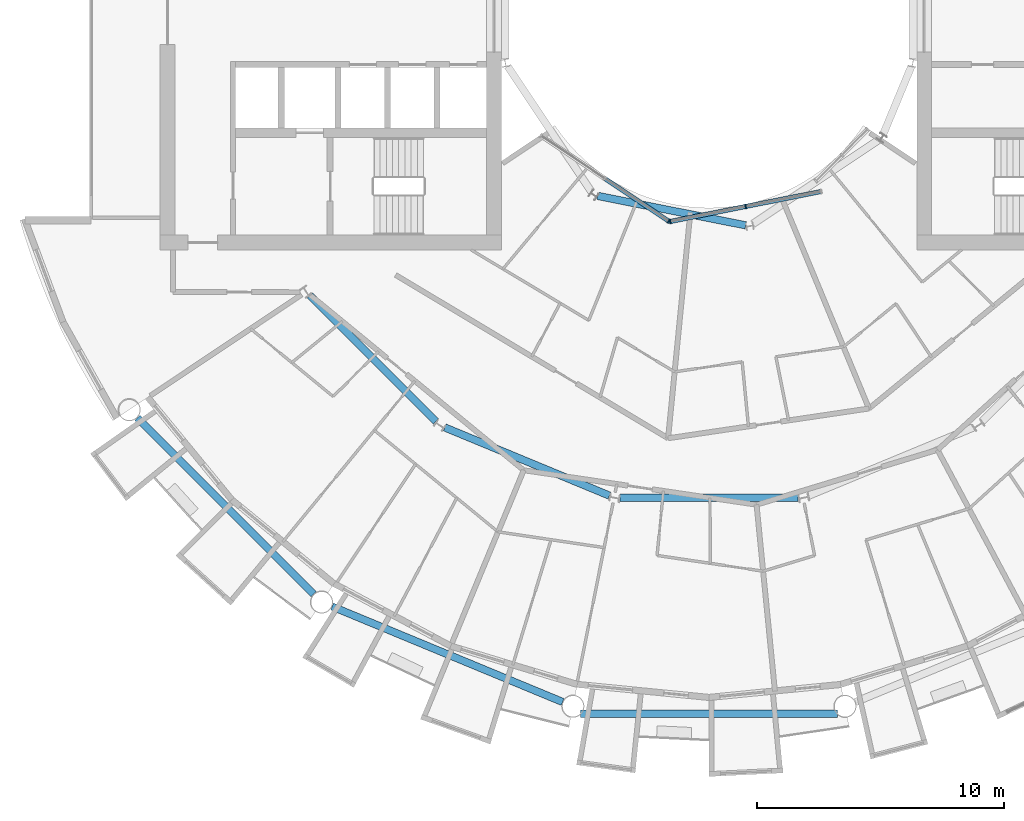
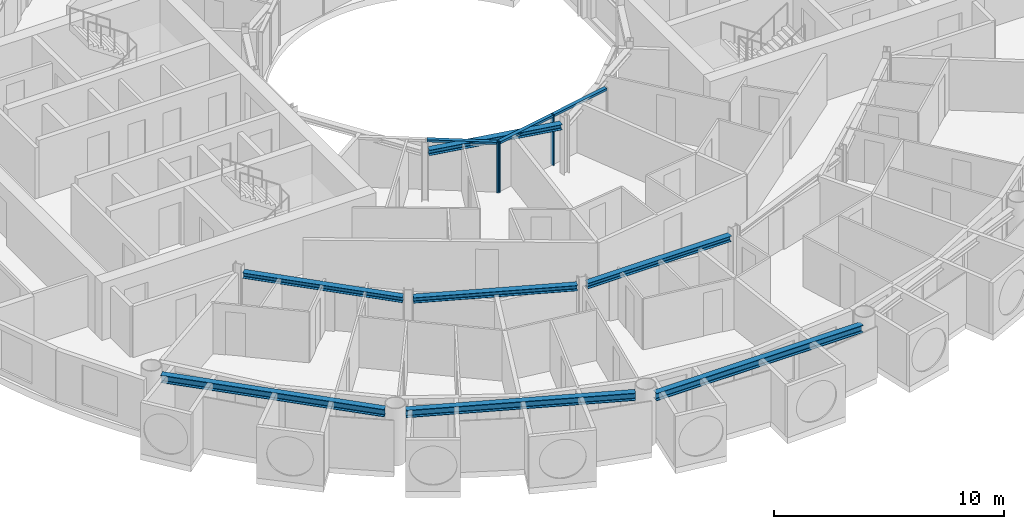
# One storey, part 5 of 28: 7 beams, 6 members, 2 elements without a shape of their own.
"""IFC4 building model written with IfcOpenShell, lengths in metres."""

from ifc_helpers import new_model, si_unit, direction, frame, origin, origin_2d, place, context, subcontext, project, spatial, rectangle, i_section, extrude, material, layer, layer_set, material_profile, profile_set, type_object, element, aggregate, save


model = new_model("IFC4")

# Units and contexts
model_context = context("Model", 3, precision=1e-05, world=origin(), true_north=direction((0.0, 1.0)))
body_context = subcontext(model_context, "Body", "Model", "MODEL_VIEW")
ifc_project = project(units=[si_unit("LENGTHUNIT", "METRE"), si_unit("AREAUNIT", "SQUARE_METRE"), si_unit("VOLUMEUNIT", "CUBIC_METRE"), si_unit("PLANEANGLEUNIT", "RADIAN"), si_unit("MASSUNIT", "GRAM", prefix="KILO")], contexts=[model_context])

# Site, building, storey
site_placement = place(None, origin())
site = spatial("IfcSite", under=ifc_project, at=site_placement, CompositionType="ELEMENT")
building_placement = place(site_placement, origin())
building = spatial("IfcBuilding", under=site, at=building_placement, Name="Maasbend Ring Residences", CompositionType="ELEMENT")
storey_placement = place(building_placement, frame((0.0, 0.0, 133.0)))
storey = spatial("IfcBuildingStorey", under=building, at=storey_placement, Name="L38", CompositionType="ELEMENT", Elevation=133.0)

# Curtain wall, member
ifc_material_1 = material(Name="Aluminium and clear glass", Category="aluminium")
ifc_layer = layer(ifc_material_1, 0.179931640625)
ifc_layer_set = layer_set([ifc_layer], Name="CW-W")
curtain_wall_type = type_object("IfcCurtainWallType", Name="CW-W", PredefinedType="NOTDEFINED", material=ifc_layer_set)
curtain_wall_1_placement = place(storey_placement, origin())
curtain_wall_1 = element("IfcCurtainWall", 1, at=curtain_wall_1_placement, inside=storey, type_object=curtain_wall_type, Name="Well curtain wall S1", PredefinedType="NOTDEFINED")
ifc_material_2 = material(Name="Aluminium 6063-T6", Category="aluminium")
ifc_material_profile_1 = material_profile(ifc_material_2, rectangle(XDim=0.179931640625, YDim=0.06005859375, at=origin_2d()), Name="AL 180x60")
ifc_profile_set_1 = profile_set([ifc_material_profile_1], Name="Aluminium 6063-T6")
member_type_1 = type_object("IfcMemberType", Name="CWM-W", PredefinedType="MULLION", material=ifc_profile_set_1)
member_1_placement = place(storey_placement, frame((-1.627685546875, -8.040771484375, 0.0), z_axis=(0.0, 0.0, 1.0), x_axis=(0.55557023302, 0.831469612303, 0.0)))
member_1 = element("IfcMember", 2, at=member_1_placement, type_object=member_type_1, Name="Mullion well face", PredefinedType="MULLION", context=body_context, shape_type="SweptSolid", body=[
    extrude(rectangle(XDim=0.179931640625, YDim=0.06005859375, at=origin_2d()), origin(), (0.0, 0.0, 1.0), 2.699951171875),
])

# Curtain wall, members
curtain_wall_2_placement = place(storey_placement, origin())
curtain_wall_2 = element("IfcCurtainWall", 3, at=curtain_wall_2_placement, inside=storey, type_object=curtain_wall_type, Name="Well curtain wall S2", PredefinedType="NOTDEFINED")
member_2_placement = place(storey_placement, frame((-1.5732421875, -8.0517578125, 0.0), z_axis=(0.0, 0.0, 1.0), x_axis=(-0.195090322016, 0.980785280403, 0.0)))
member_2 = element("IfcMember", 4, at=member_2_placement, type_object=member_type_1, Name="Mullion well face", PredefinedType="MULLION", context=body_context, shape_type="SweptSolid", body=[
    extrude(rectangle(XDim=0.179931640625, YDim=0.06005859375, at=origin_2d()), origin(), (0.0, 0.0, 1.0), 2.699951171875),
])
member_3_placement = place(storey_placement, frame((1.480712890625, -7.444091796875, 0.0), z_axis=(0.0, 0.0, 1.0), x_axis=(-0.195090322016, 0.980785280403, 0.0)))
member_3 = element("IfcMember", 5, at=member_3_placement, type_object=member_type_1, Name="Mullion well face", PredefinedType="MULLION", context=body_context, shape_type="SweptSolid", body=[
    extrude(rectangle(XDim=0.179931640625, YDim=0.06005859375, at=origin_2d()), origin(), (0.0, 0.0, 1.0), 2.699951171875),
])

# Member
ifc_material_3 = material(Name="Aluminium 6063-T6", Category="aluminium")
ifc_material_profile_2 = material_profile(ifc_material_3, rectangle(XDim=0.179931640625, YDim=0.1201171875, at=origin_2d()), Name="AL 180x120")
ifc_profile_set_2 = profile_set([ifc_material_profile_2], Name="Aluminium 6063-T6")
member_type_2 = type_object("IfcMemberType", Name="CWT-W", PredefinedType="USERDEFINED", material=ifc_profile_set_2)
member_4_placement = place(storey_placement, frame((-4.19189453125, -6.32763671875, 2.639892578125), z_axis=(0.831496422459, -0.555530106689, 0.0), x_axis=(0.555530106689, 0.831496422459, 0.0)))
member_4 = element("IfcMember", 6, at=member_4_placement, type_object=member_type_2, Name="Transom well face", ObjectType="TRANSOM", PredefinedType="USERDEFINED", context=body_context, shape_type="SweptSolid", body=[
    extrude(rectangle(XDim=0.179931640625, YDim=0.1201171875, at=origin_2d()), origin(), (0.0, 0.0, 1.0), 3.053955078125),
])

aggregate(curtain_wall_1, [member_1, member_4])

member_5_placement = place(storey_placement, frame((-1.5439453125, -8.0458984375, 2.639892578125), z_axis=(0.980776956105, 0.195132166424, 0.0), x_axis=(-0.195132166424, 0.980776956105, 0.0)))
member_5 = element("IfcMember", 7, at=member_5_placement, type_object=member_type_2, Name="Transom well face", ObjectType="TRANSOM", PredefinedType="USERDEFINED", context=body_context, shape_type="SweptSolid", body=[
    extrude(rectangle(XDim=0.179931640625, YDim=0.1201171875, at=origin_2d()), origin(), (0.0, 0.0, 1.0), 3.053955078125),
])

member_6_placement = place(storey_placement, frame((1.51025390625, -7.438232421875, 2.639892578125), z_axis=(0.980789210404, 0.19507056353, 0.0), x_axis=(-0.19507056353, 0.980789210404, 0.0)))
member_6 = element("IfcMember", 8, at=member_6_placement, type_object=member_type_2, Name="Transom well face", ObjectType="TRANSOM", PredefinedType="USERDEFINED", context=body_context, shape_type="SweptSolid", body=[
    extrude(rectangle(XDim=0.179931640625, YDim=0.1201171875, at=origin_2d()), origin(), (0.0, 0.0, 1.0), 3.0537109375),
])

aggregate(curtain_wall_2, [member_2, member_3, member_5, member_6])

# Beams
ifc_material_4 = material(Name="Steel S355J2", Category="steel")
ifc_material_profile_3 = material_profile(ifc_material_4, i_section(OverallWidth=0.300048828125, OverallDepth=0.2900390625, WebThickness=0.008544921875, FlangeThickness=0.013916015625, FilletRadius=0.027099609375, at=origin_2d()), Name="HEA 300")
ifc_profile_set_3 = profile_set([ifc_material_profile_3], Name="Steel S355J2")
beam_type_1 = type_object("IfcBeamType", Name="Corridor ring beam HEA 300", PredefinedType="BEAM", material=ifc_profile_set_3)
for number, where, z_axis, x_axis, name in (
    (9, (-16.14111328125, -11.044921875, 2.554931640625), (0.707106781187, -0.707106781187, 0.0), (0.707106781187, 0.707106781187, 0.0), "Corridor ring beam"),
    (10, (-10.685791015625, -16.381103515625, 2.554931640625), (0.923877693919, -0.382687871089, 0.0), (0.382687871089, 0.923877693919, 0.0), "Corridor ring beam"),
    (11, (-3.603515625, -19.223388671875, 2.554931640625), (1.0, 0.0, 0.0), (0.0, 1.0, 0.0), "Corridor ring beam"),
):
    element("IfcBeam", number, at=place(storey_placement, frame(where, z_axis=z_axis, x_axis=x_axis)), inside=storey, type_object=beam_type_1, Name=name, PredefinedType="BEAM", context=body_context, shape_type="SweptSolid", body=[
        extrude(i_section(OverallWidth=0.300048828125, OverallDepth=0.2900390625, WebThickness=0.008544921875, FlangeThickness=0.013916015625, FilletRadius=0.027099609375, at=origin_2d()), origin(), (0.0, 0.0, 1.0), 7.20703125),
    ])
ifc_material_5 = material(Name="Steel S355J2", Category="steel")
ifc_material_profile_4 = material_profile(ifc_material_5, i_section(OverallWidth=0.300048828125, OverallDepth=0.39990234375, WebThickness=0.013427734375, FlangeThickness=0.02392578125, FilletRadius=0.027099609375, at=origin_2d()), Name="HEB 400")
ifc_profile_set_4 = profile_set([ifc_material_profile_4], Name="Steel S355J2")
beam_type_2 = type_object("IfcBeamType", Name="Spandrel ring beam HEB 400", PredefinedType="SPANDREL", material=ifc_profile_set_4)
for number, where, z_axis, x_axis, name in (
    (12, (-23.124267578125, -15.990234375, 2.5), (0.707106781187, -0.707106781187, 0.0), (0.707106781187, 0.707106781187, 0.0), "Spandrel ring beam"),
    (13, (-15.244873046875, -23.622314453125, 2.5), (0.92388529709, -0.382669515144, 0.0), (0.382669515144, 0.92388529709, 0.0), "Spandrel ring beam"),
):
    element("IfcBeam", number, at=place(storey_placement, frame(where, z_axis=z_axis, x_axis=x_axis)), inside=storey, type_object=beam_type_2, Name=name, PredefinedType="SPANDREL", context=body_context, shape_type="SweptSolid", body=[
        extrude(i_section(OverallWidth=0.300048828125, OverallDepth=0.39990234375, WebThickness=0.013427734375, FlangeThickness=0.02392578125, FilletRadius=0.027099609375, at=origin_2d()), origin(), (0.0, 0.0, 1.0), 10.089111328125),
    ])
beam_1_placement = place(storey_placement, frame((-5.194580078125, -27.9580078125, 2.5), z_axis=(1.0, 0.0, 0.0), x_axis=(0.0, 1.0, 0.0)))
element("IfcBeam", 14, at=beam_1_placement, inside=storey, type_object=beam_type_2, Name="Spandrel ring beam", PredefinedType="SPANDREL", context=body_context, shape_type="SweptSolid", body=[
    extrude(i_section(OverallWidth=0.300048828125, OverallDepth=0.39990234375, WebThickness=0.013427734375, FlangeThickness=0.02392578125, FilletRadius=0.027099609375, at=origin_2d()), origin(), (0.0, 0.0, 1.0), 10.38916015625),
])
ifc_material_6 = material(Name="Steel S355J2", Category="steel")
ifc_material_profile_5 = material_profile(ifc_material_6, i_section(OverallWidth=0.300048828125, OverallDepth=0.2900390625, WebThickness=0.008544921875, FlangeThickness=0.013916015625, FilletRadius=0.027099609375, at=origin_2d()), Name="HEA 300")
ifc_profile_set_5 = profile_set([ifc_material_profile_5], Name="Steel S355J2")
beam_type_3 = type_object("IfcBeamType", Name="Well edge beam HEA 300", PredefinedType="BEAM", material=ifc_profile_set_5)
beam_2_placement = place(storey_placement, frame((-4.507568359375, -7.01611328125, 2.554931640625), z_axis=(0.980792381321, -0.195054619896, 0.0), x_axis=(0.195054619896, 0.980792381321, 0.0)))
element("IfcBeam", 15, at=beam_2_placement, inside=storey, type_object=beam_type_3, Name="Well edge beam", PredefinedType="BEAM", context=body_context, shape_type="SweptSolid", body=[
    extrude(i_section(OverallWidth=0.300048828125, OverallDepth=0.2900390625, WebThickness=0.008544921875, FlangeThickness=0.013916015625, FilletRadius=0.027099609375, at=origin_2d()), origin(), (0.0, 0.0, 1.0), 6.104248046875),
])

save(model, "model.ifc")
